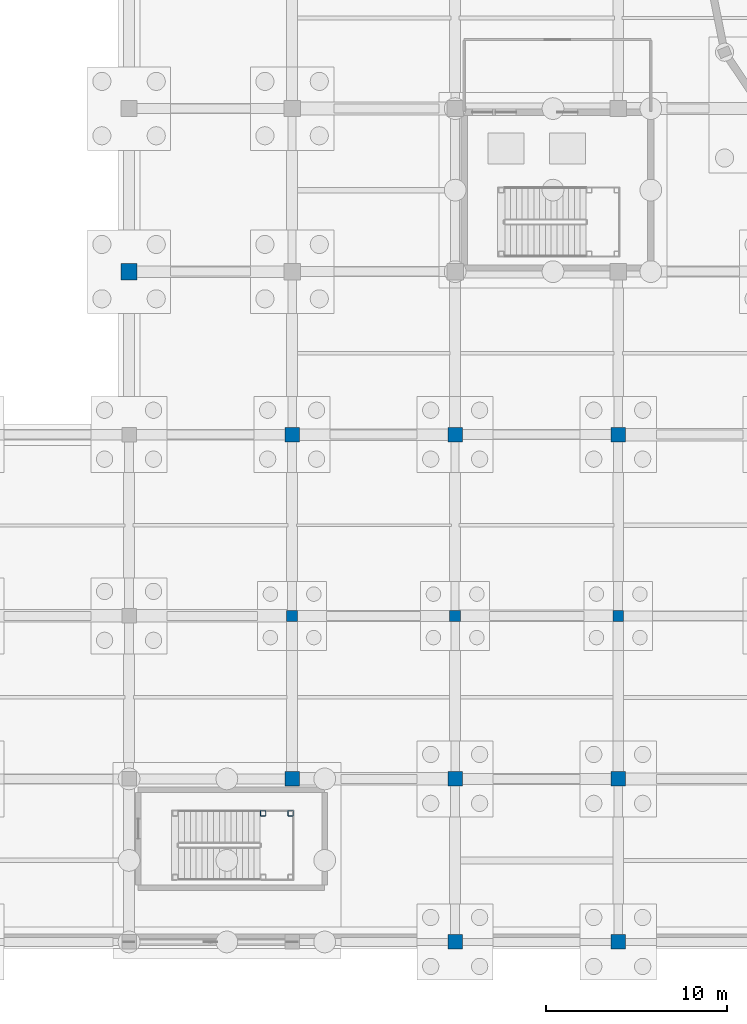
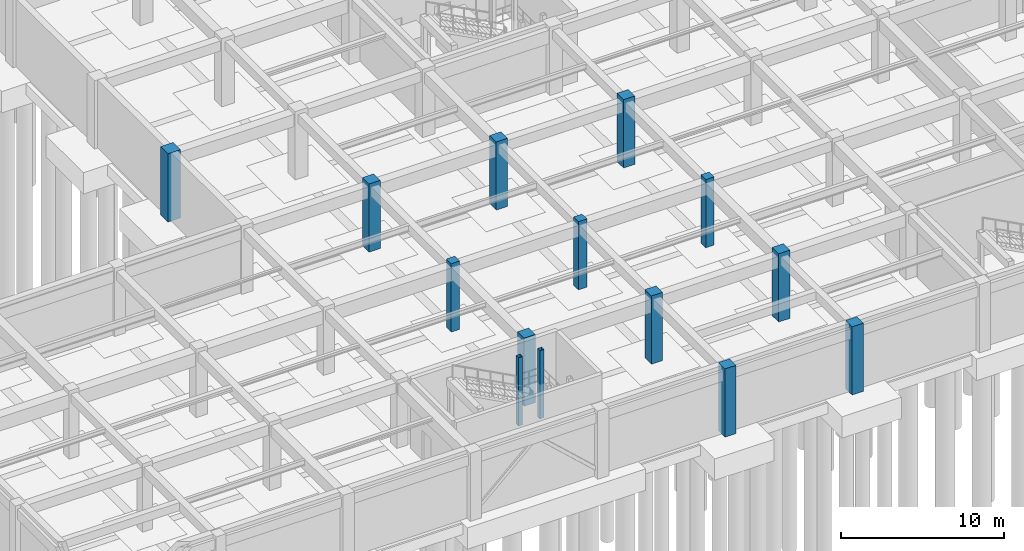
# One storey, part 13 of 62: 14 columns.
"""IFC4 building model written with IfcOpenShell, lengths in metres."""

from ifc_helpers import new_model, si_unit, direction, frame, origin, origin_2d, place, context, subcontext, project, spatial, rectangle, hollow_rectangle, extrude, material, material_profile, profile_set, type_object, element, save


model = new_model("IFC4")

# Units and contexts
model_context = context("Model", 3, precision=1e-05, world=origin(), true_north=direction((0.0, 1.0)))
body_context = subcontext(model_context, "Body", "Model", "MODEL_VIEW")
ifc_project = project(units=[si_unit("LENGTHUNIT", "METRE"), si_unit("AREAUNIT", "SQUARE_METRE"), si_unit("VOLUMEUNIT", "CUBIC_METRE"), si_unit("PLANEANGLEUNIT", "RADIAN"), si_unit("MASSUNIT", "GRAM", prefix="KILO")], contexts=[model_context])

# Site, building, storey
site_placement = place(None, origin())
site = spatial("IfcSite", under=ifc_project, at=site_placement, CompositionType="ELEMENT")
building_placement = place(site_placement, origin())
building = spatial("IfcBuilding", under=site, at=building_placement, Name="Miravela Opera House", CompositionType="ELEMENT")
storey_placement = place(building_placement, frame((0.0, 0.0, -5.10009765625)))
storey = spatial("IfcBuildingStorey", under=building, at=storey_placement, Name="B01", CompositionType="ELEMENT", Elevation=-5.10009765625)

# Columns
ifc_material_1 = material(Name="Hollow structural steel ASTM A500 Gr. C", Category="steel")
ifc_material_profile_1 = material_profile(ifc_material_1, hollow_rectangle(XDim=0.300048828125, YDim=0.300048828125, WallThickness=0.01611328125, InnerFilletRadius=0.01611328125, OuterFilletRadius=0.031982421875, at=origin_2d()), Name="HSS300X300X16")
ifc_profile_set_1 = profile_set([ifc_material_profile_1])
column_type_1 = type_object("IfcColumnType", Name="STR-COL-HSS300", PredefinedType="COLUMN", material=ifc_profile_set_1)
for number, where, z_axis, x_axis, name in (
    (1, (34.39990234375, 7.10009765625, 0.0), (0.0, 0.0, 1.0), (1.0, 0.0, 0.0), "Stair ST-08 Landing Support Column 4 (B01)"),
    (2, (35.919921875, 7.10009765625, 0.0), (0.0, 0.0, 1.0), (1.0, 0.0, 0.0), "Stair ST-08 Landing Support Column 6 (B01)"),
):
    element("IfcColumn", number, at=place(storey_placement, frame(where, z_axis=z_axis, x_axis=x_axis)), inside=storey, type_object=column_type_1, Name=name, PredefinedType="COLUMN", context=body_context, shape_type="SweptSolid", body=[
        extrude(hollow_rectangle(XDim=0.300048828125, YDim=0.300048828125, WallThickness=0.01611328125, InnerFilletRadius=0.01611328125, OuterFilletRadius=0.031982421875, at=origin_2d()), origin(), (0.0, 0.0, 1.0), 5.10009765625),
    ])
ifc_material_2 = material(Name="Concrete C35/45", Category="concrete")
ifc_material_profile_2 = material_profile(ifc_material_2, rectangle(XDim=0.60009765625, YDim=0.60009765625, at=origin_2d()), Name="RC-COL-600X600")
ifc_profile_set_2 = profile_set([ifc_material_profile_2])
column_type_2 = type_object("IfcColumnType", Name="STR-COL-RC600", PredefinedType="COLUMN", material=ifc_profile_set_2)
for number, where, z_axis, x_axis, name in (
    (3, (36.0, 18.0, 0.0), (0.0, 0.0, 1.0), (1.0, 0.0, 0.0), "Column C-5C (B01)"),
    (4, (45.0, 18.0, 0.0), (0.0, 0.0, 1.0), (1.0, 0.0, 0.0), "Column C-6C (B01)"),
    (5, (54.0, 18.0, 0.0), (0.0, 0.0, 1.0), (1.0, 0.0, 0.0), "Column C-7C (B01)"),
):
    element("IfcColumn", number, at=place(storey_placement, frame(where, z_axis=z_axis, x_axis=x_axis)), inside=storey, type_object=column_type_2, Name=name, PredefinedType="COLUMN", context=body_context, shape_type="SweptSolid", body=[
        extrude(rectangle(XDim=0.60009765625, YDim=0.60009765625, at=origin_2d()), origin(), (0.0, 0.0, 1.0), 5.10009765625),
    ])
ifc_material_3 = material(Name="Concrete C40/50", Category="concrete")
ifc_material_profile_3 = material_profile(ifc_material_3, rectangle(XDim=0.800048828125, YDim=0.800048828125, at=origin_2d()), Name="RC-COL-800X800")
ifc_profile_set_3 = profile_set([ifc_material_profile_3])
column_type_3 = type_object("IfcColumnType", Name="STR-COL-RC800", PredefinedType="COLUMN", material=ifc_profile_set_3)
for number, where, z_axis, x_axis, name in (
    (6, (36.0, 9.0, 0.0), (0.0, 0.0, 1.0), (1.0, 0.0, 0.0), "Column C-5B (B01)"),
    (7, (36.0, 28.0, 0.0), (0.0, 0.0, 1.0), (1.0, 0.0, 0.0), "Column C-5D (B01)"),
    (8, (45.0, 0.0, 0.0), (0.0, 0.0, 1.0), (1.0, 0.0, 0.0), "Column C-6A (B01)"),
    (9, (45.0, 9.0, 0.0), (0.0, 0.0, 1.0), (1.0, 0.0, 0.0), "Column C-6B (B01)"),
    (10, (45.0, 28.0, 0.0), (0.0, 0.0, 1.0), (1.0, 0.0, 0.0), "Column C-6D (B01)"),
    (11, (54.0, 0.0, 0.0), (0.0, 0.0, 1.0), (1.0, 0.0, 0.0), "Column C-7A (B01)"),
    (12, (54.0, 9.0, 0.0), (0.0, 0.0, 1.0), (1.0, 0.0, 0.0), "Column C-7B (B01)"),
    (13, (54.0, 28.0, 0.0), (0.0, 0.0, 1.0), (1.0, 0.0, 0.0), "Column C-7D (B01)"),
):
    element("IfcColumn", number, at=place(storey_placement, frame(where, z_axis=z_axis, x_axis=x_axis)), inside=storey, type_object=column_type_3, Name=name, PredefinedType="COLUMN", context=body_context, shape_type="SweptSolid", body=[
        extrude(rectangle(XDim=0.800048828125, YDim=0.800048828125, at=origin_2d()), origin(), (0.0, 0.0, 1.0), 5.10009765625),
    ])
ifc_material_profile_4 = material_profile(ifc_material_3, rectangle(XDim=0.89990234375, YDim=0.89990234375, at=origin_2d()), Name="RC-COL-900X900")
ifc_profile_set_4 = profile_set([ifc_material_profile_4])
column_type_4 = type_object("IfcColumnType", Name="STR-COL-RC900", PredefinedType="COLUMN", material=ifc_profile_set_4)
column_placement = place(storey_placement, frame((27.0, 37.0, 0.0), z_axis=(0.0, 0.0, 1.0), x_axis=(1.0, 0.0, 0.0)))
element("IfcColumn", 14, at=column_placement, inside=storey, type_object=column_type_4, Name="Column C-4E (B01)", PredefinedType="COLUMN", context=body_context, shape_type="SweptSolid", body=[
    extrude(rectangle(XDim=0.89990234375, YDim=0.89990234375, at=origin_2d()), origin(), (0.0, 0.0, 1.0), 5.10009765625),
])

save(model, "model.ifc")
